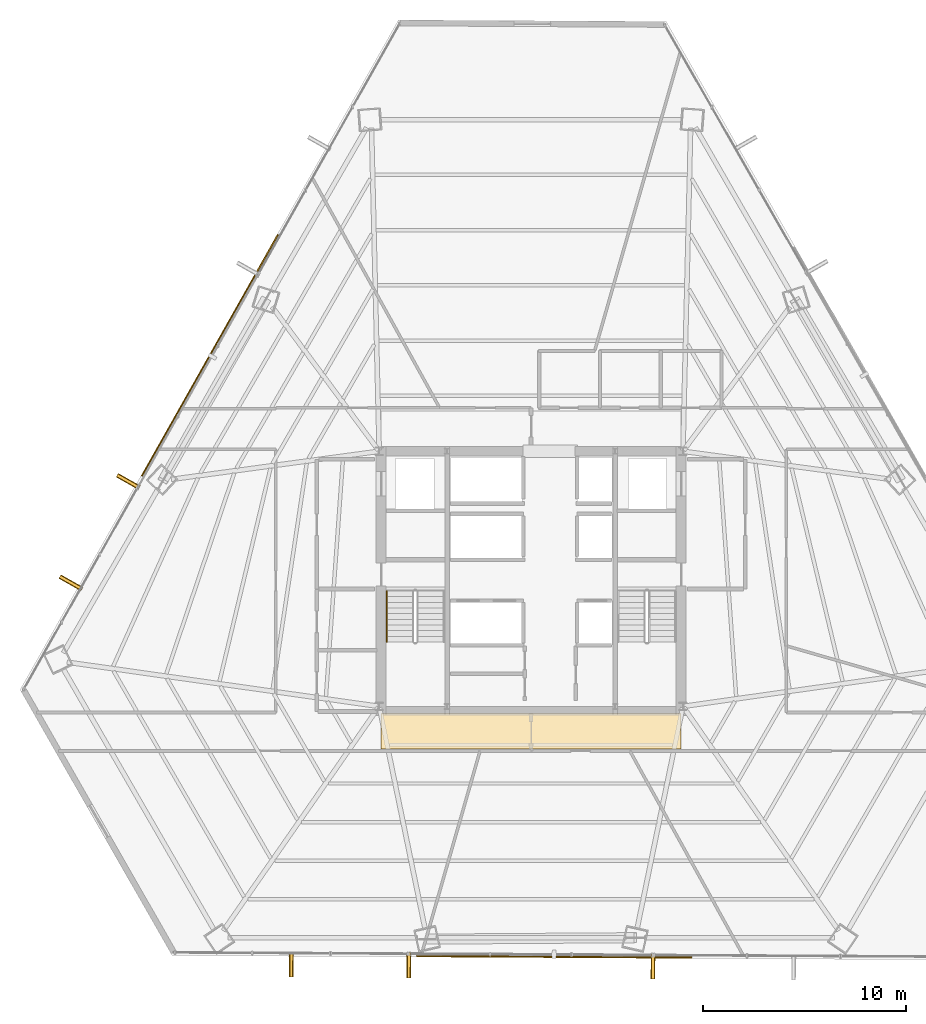
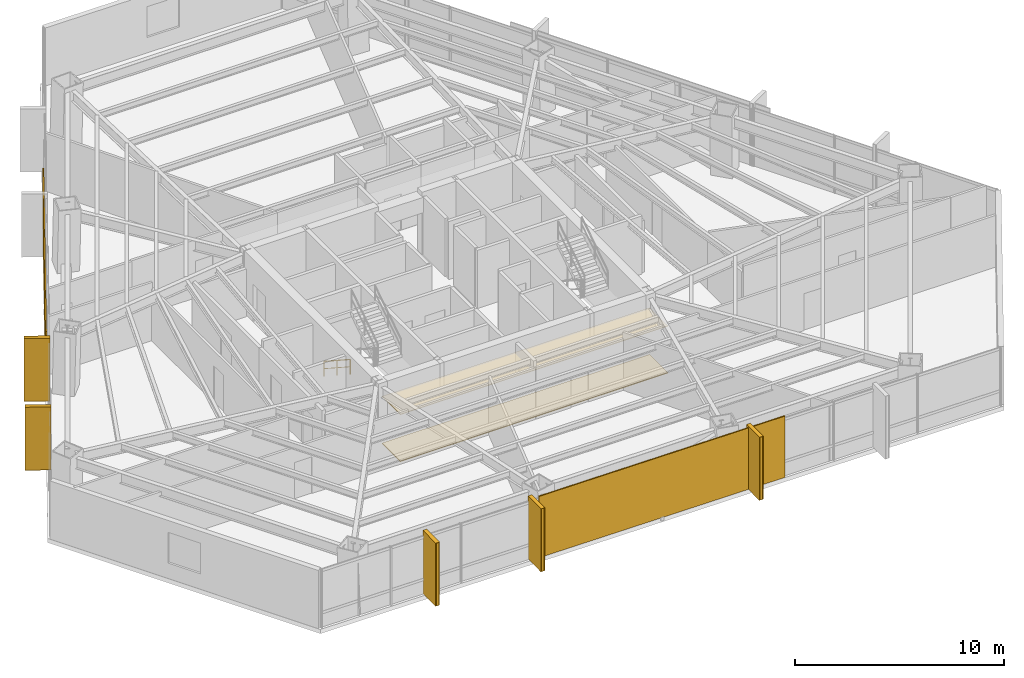
# One storey, part 34 of 36: 7 coverings, 7 shading devices, 1 railing.
"""IFC4 building model written with IfcOpenShell, lengths in metres."""

from ifc_helpers import new_model, si_unit, direction, frame, origin, origin_2d, place, context, subcontext, project, spatial, polyline, rectangle, outline, extrude, source, transform, mapped, material, layer, layer_set, type_object, type_shapes, element, save


model = new_model("IFC4")

# Units and contexts
model_context = context("Model", 3, precision=1e-05, world=origin(), true_north=direction((0.0, 1.0)))
body_context = subcontext(model_context, "Body", "Model", "MODEL_VIEW")
ifc_project = project(units=[si_unit("LENGTHUNIT", "METRE"), si_unit("AREAUNIT", "SQUARE_METRE"), si_unit("VOLUMEUNIT", "CUBIC_METRE"), si_unit("PLANEANGLEUNIT", "RADIAN"), si_unit("MASSUNIT", "GRAM", prefix="KILO")], contexts=[model_context])

# Site, building, storey
site_placement = place(None, origin())
site = spatial("IfcSite", under=ifc_project, at=site_placement, CompositionType="ELEMENT")
building_placement = place(site_placement, origin())
building = spatial("IfcBuilding", under=site, at=building_placement, Name="Caelisora Broadcast Tower", CompositionType="ELEMENT")
storey_placement = place(building_placement, frame((0.0, 0.0, 83.5)))
storey = spatial("IfcBuildingStorey", under=building, at=storey_placement, Name="L21", CompositionType="ELEMENT", Elevation=83.5)

# Coverings
ifc_material_1 = material(Name="Perforated Mineral-Fibre Acoustic Ceiling Tile", Category="gypsum")
ifc_layer_1 = layer(ifc_material_1, 0.034912109375, Name="Perforated Mineral-Fibre Acoustic Ceiling Tile")
ifc_layer_set_1 = layer_set([ifc_layer_1], Name="Perforated Mineral-Fibre Acoustic Ceiling Tile")
covering_type_1 = type_object("IfcCoveringType", Name="CE-1", PredefinedType="CEILING", material=ifc_layer_set_1)
covering_1_placement = place(storey_placement, frame((0.0, 0.0, 2.75)))
element("IfcCovering", 1, at=covering_1_placement, inside=storey, type_object=covering_type_1, Name="L21 acoustic corridor ceiling CE-1 (S)", PredefinedType="CEILING", context=body_context, shape_type="SweptSolid", body=[
    extrude(outline(polyline([(30.60009765625, 15.300048828125), (45.39990234375, 15.300048828125), (45.39990234375, 17.050048828125), (30.60009765625, 17.050048828125), (30.60009765625, 15.300048828125)])), origin(), (0.0, 0.0, 1.0), 0.034912109375),
])
ifc_material_2 = material(Name="Anti-Static Broadcast Raised Access Floor Panel", Category="steel")
ifc_layer_2 = layer(ifc_material_2, 0.044921875, Name="Anti-Static Broadcast Raised Access Floor Panel")
ifc_layer_set_2 = layer_set([ifc_layer_2], Name="Anti-Static Broadcast Raised Access Floor Panel")
covering_type_2 = type_object("IfcCoveringType", Name="FL-1", PredefinedType="FLOORING", material=ifc_layer_set_2)
covering_2_placement = place(storey_placement, origin())
element("IfcCovering", 2, at=covering_2_placement, inside=storey, type_object=covering_type_2, Name="L21 broadcast raised access floor FL-1 (S)", PredefinedType="FLOORING", context=body_context, shape_type="SweptSolid", body=[
    extrude(outline(polyline([(30.60009765625, 15.300048828125), (45.39990234375, 15.300048828125), (45.39990234375, 17.050048828125), (30.60009765625, 17.050048828125), (30.60009765625, 15.300048828125)])), origin(), (0.0, 0.0, 1.0), 0.044921875),
])

# Railing
ifc_material_3 = material(Name="Stainless Steel Grade 316 Tubular Handrail", Category="steel")
ifc_layer_3 = layer(ifc_material_3, 0.048095703125, Name="Stainless Steel Grade 316 Tubular Handrail")
ifc_layer_set_3 = layer_set([ifc_layer_3], Name="Stainless Steel Grade 316 Tubular Handrail")
railing_type = type_object("IfcRailingType", Name="HR-1", PredefinedType="HANDRAIL", material=ifc_layer_set_3)
railing_placement = place(storey_placement, frame((30.8701171875, 23.10009765625, 0.1826171875)))
element("IfcRailing", 3, at=railing_placement, inside=storey, type_object=railing_type, Name="L21 ST-1 stair handrail 1", PredefinedType="HANDRAIL", context=body_context, shape_type="SweptSolid", body=[
    extrude(rectangle(XDim=0.048095703125, YDim=0.048095703125, at=origin_2d()), frame((0.0, 0.0, 0.8759765625), z_axis=(0.0, -0.837786554691, 0.545997883492), x_axis=(1.0, 0.0, 0.0)), (0.0, 0.0, 1.0), 3.008056640625),
    extrude(rectangle(XDim=0.03125, YDim=0.03125, at=origin_2d()), frame((0.0, 0.0, 0.449951171875), z_axis=(0.0, -0.837786554691, 0.545997883492), x_axis=(1.0, 0.0, 0.0)), (0.0, 0.0, 1.0), 3.008056640625),
    extrude(rectangle(XDim=0.0419921875, YDim=0.0419921875, at=origin_2d()), origin(), (0.0, 0.0, 1.0), 0.851806640625),
    extrude(rectangle(XDim=0.0419921875, YDim=0.0419921875, at=origin_2d()), frame((0.0, -1.260009765625, 0.8212890625)), (0.0, 0.0, 1.0), 0.851806640625),
    extrude(rectangle(XDim=0.0419921875, YDim=0.0419921875, at=origin_2d()), frame((0.0, -2.52001953125, 1.642333984375)), (0.0, 0.0, 1.0), 0.851806640625),
])

# Coverings
ifc_material_4 = material(Name="Kiln-Fired Terracotta Spandrel Rainscreen Cladding", Category="ceramic")
ifc_layer_4 = layer(ifc_material_4, 0.044921875, Name="Kiln-Fired Terracotta Spandrel Rainscreen Cladding")
ifc_layer_set_4 = layer_set([ifc_layer_4], Name="Kiln-Fired Terracotta Spandrel Rainscreen Cladding")
covering_type_3 = type_object("IfcCoveringType", Name="CL-1", PredefinedType="CLADDING", material=ifc_layer_set_4)
shared_shape_1 = source(origin(), body_context, "Body", "SweptSolid", [
    extrude(rectangle(XDim=0.219970703125, YDim=1.25, at=origin_2d()), origin(), (0.0, 0.0, 1.0), 3.68994140625),
])
type_shapes(covering_type_3, [shared_shape_1])
for number, where, z_axis, x_axis, name in (
    (4, (44.02099609375, 4.5537109375, -0.02001953125), (0.0, 0.0, 1.0), (-0.999984403629, 0.005585024571, 0.0), "L21 vertical solar fin cladding #2-2"),
    (5, (31.964599609375, 4.6201171875, -0.02001953125), (0.0, 0.0, 1.0), (-0.999984403629, 0.005585024571, 0.0), "L21 vertical solar fin cladding #2-3"),
    (6, (26.16064453125, 4.652099609375, -0.02001953125), (0.0, 0.0, 1.0), (-0.999984403629, 0.005585024571, 0.0), "L21 vertical solar fin cladding #2-4"),
    (7, (15.276611328125, 23.502685546875, -0.02001953125), (0.0, 0.0, 1.0), (0.49181581725, 0.870699260309, 0.0), "L21 vertical solar fin cladding #3-1"),
    (8, (18.10498046875, 28.51025390625, -0.02001953125), (0.0, 0.0, 1.0), (0.49181581725, 0.870699260309, 0.0), "L21 vertical solar fin cladding #3-2"),
):
    element("IfcCovering", number, at=place(storey_placement, frame(where, z_axis=z_axis, x_axis=x_axis)), inside=storey, type_object=covering_type_3, Name=name, PredefinedType="CLADDING", context=body_context, shape_type="MappedRepresentation", body=[
        mapped(shared_shape_1, transform((0.0, 0.0, 0.0), scale=1.0)),
    ])

# Shading devices
ifc_material_5 = material(Name="Extruded Terracotta Flaring Colonnade Fin", Category="ceramic")
ifc_layer_5 = layer(ifc_material_5, 0.139892578125, Name="Extruded Terracotta Flaring Colonnade Fin")
ifc_layer_set_5 = layer_set([ifc_layer_5], Name="Extruded Terracotta Flaring Colonnade Fin")
shading_device_type_1 = type_object("IfcShadingDeviceType", Name="FN-1", PredefinedType="USERDEFINED", material=ifc_layer_set_5)
shared_shape_2 = source(origin(), body_context, "Body", "SweptSolid", [
    extrude(rectangle(XDim=0.139892578125, YDim=1.25, at=origin_2d()), origin(), (0.0, 0.0, 1.0), 3.669921875),
])
type_shapes(shading_device_type_1, [shared_shape_2])
for number, where, z_axis, x_axis, name in (
    (9, (44.02099609375, 4.5537109375, -0.010009765625), (0.0, 0.0, 1.0), (-0.999984403629, 0.005585024571, 0.0), "L21 vertical terracotta fin #2-2"),
    (10, (31.964599609375, 4.6201171875, -0.010009765625), (0.0, 0.0, 1.0), (-0.999984403629, 0.005585024571, 0.0), "L21 vertical terracotta fin #2-3"),
    (11, (26.16064453125, 4.652099609375, -0.010009765625), (0.0, 0.0, 1.0), (-0.999984403629, 0.005585024571, 0.0), "L21 vertical terracotta fin #2-4"),
    (12, (15.276611328125, 23.502685546875, -0.010009765625), (0.0, 0.0, 1.0), (0.49181581725, 0.870699260309, 0.0), "L21 vertical terracotta fin #3-1"),
    (13, (18.10498046875, 28.51025390625, -0.010009765625), (0.0, 0.0, 1.0), (0.49181581725, 0.870699260309, 0.0), "L21 vertical terracotta fin #3-2"),
):
    element("IfcShadingDevice", number, at=place(storey_placement, frame(where, z_axis=z_axis, x_axis=x_axis)), inside=storey, type_object=shading_device_type_1, Name=name, ObjectType="FIN", PredefinedType="USERDEFINED", context=body_context, shape_type="MappedRepresentation", body=[
        mapped(shared_shape_2, transform((0.0, 0.0, 0.0), scale=1.0)),
    ])
ifc_material_6 = material(Name="Perforated Glazed Terracotta Baguette Solar Screen", Category="ceramic")
ifc_layer_6 = layer(ifc_material_6, 0.06494140625, Name="Perforated Glazed Terracotta Baguette Solar Screen")
ifc_layer_set_6 = layer_set([ifc_layer_6], Name="Perforated Glazed Terracotta Baguette Solar Screen")
shading_device_type_2 = type_object("IfcShadingDeviceType", Name="SS-1", PredefinedType="USERDEFINED", material=ifc_layer_set_6)
shared_shape_3 = source(origin(), body_context, "Body", "SweptSolid", [
    extrude(rectangle(XDim=13.676025390625, YDim=0.06494140625, at=origin_2d()), origin(), (0.0, 0.0, 1.0), 3.590087890625),
])
shading_device_1_placement = place(storey_placement, frame((22.139404296875, 34.73828125, 0.0), z_axis=(0.0, 0.0, 1.0), x_axis=(-0.49181581725, -0.870699260309, 0.0)))
element("IfcShadingDevice", 14, at=shading_device_1_placement, inside=storey, type_object=shading_device_type_2, Name="L21 perforated terracotta solar screen #1", ObjectType="SOLAR SCREEN", PredefinedType="USERDEFINED", context=body_context, shape_type="MappedRepresentation", body=[
    mapped(shared_shape_3, transform((0.0, 0.0, 0.0), scale=1.0)),
])
shared_shape_4 = source(origin(), body_context, "Body", "SweptSolid", [
    extrude(rectangle(XDim=13.580078125, YDim=0.06494140625, at=origin_2d()), origin(), (0.0, 0.0, 1.0), 3.590087890625),
])
type_shapes(shading_device_type_2, [shared_shape_3, shared_shape_4])
shading_device_2_placement = place(storey_placement, frame((39.134765625, 5.030517578125, 0.0), z_axis=(0.0, 0.0, 1.0), x_axis=(0.999985363169, -0.005410494284, 0.0)))
element("IfcShadingDevice", 15, at=shading_device_2_placement, inside=storey, type_object=shading_device_type_2, Name="L21 perforated terracotta solar screen #2", ObjectType="SOLAR SCREEN", PredefinedType="USERDEFINED", context=body_context, shape_type="MappedRepresentation", body=[
    mapped(shared_shape_4, transform((0.0, 0.0, 0.0), scale=1.0)),
])

save(model, "model.ifc")
